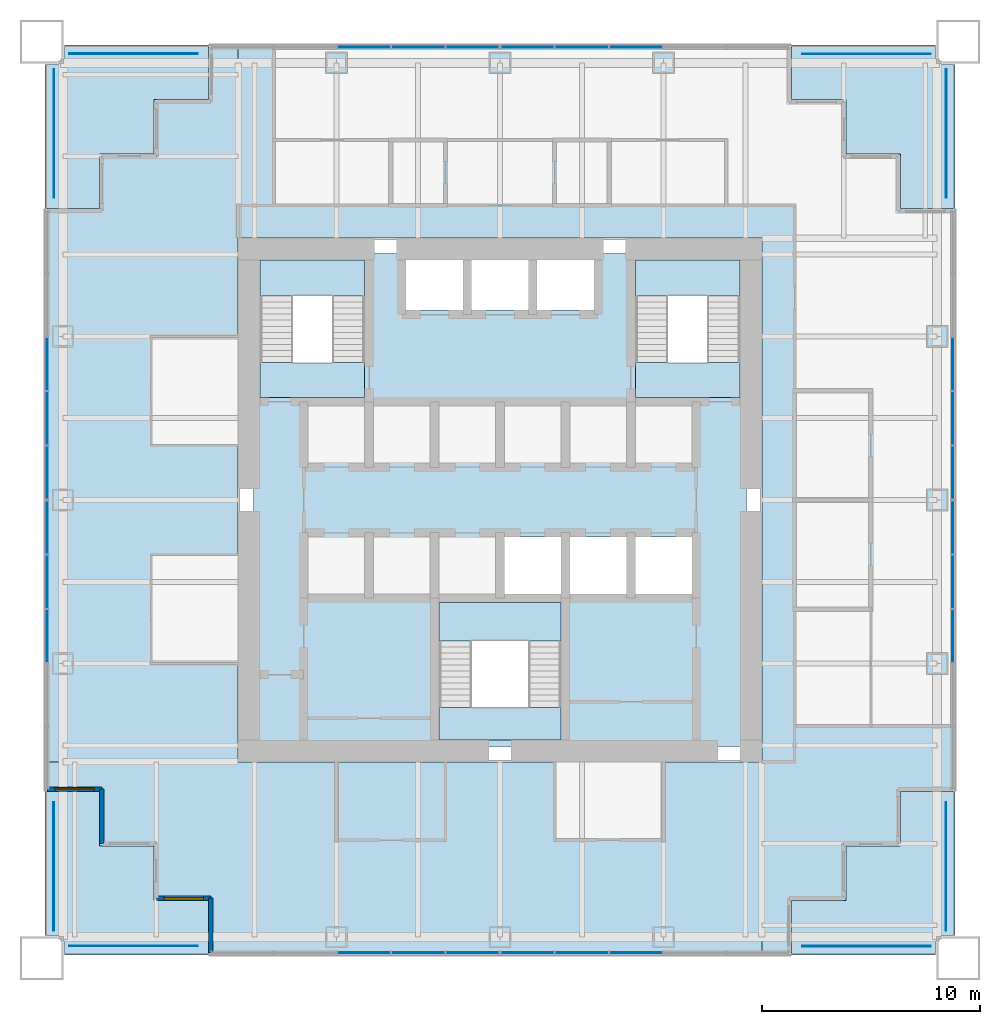
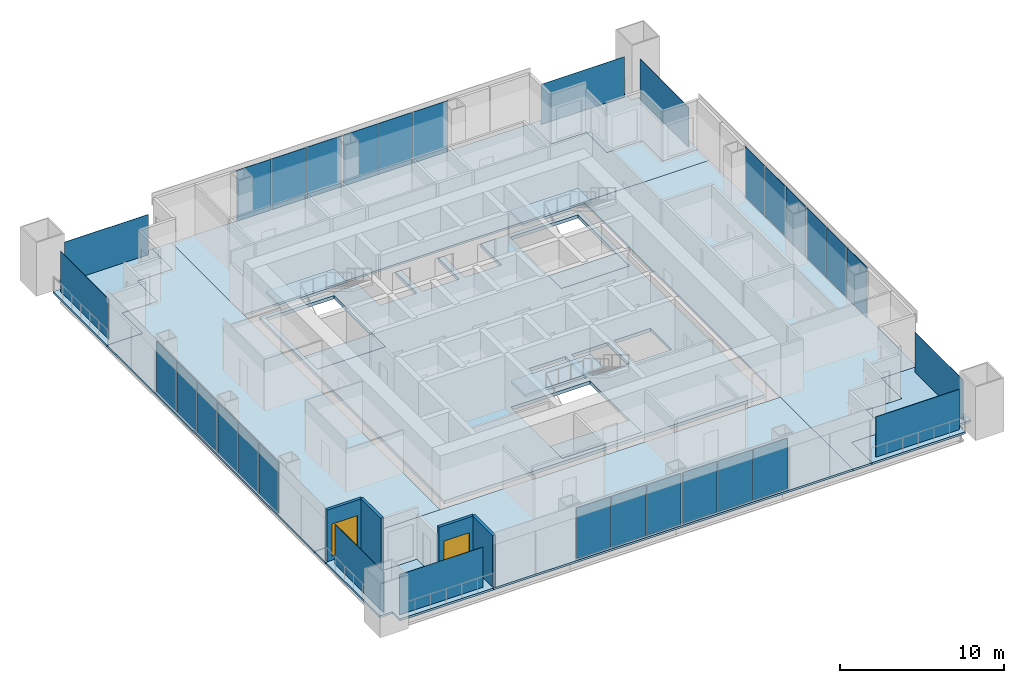
# One storey, part 8 of 14: 32 plates, 15 slabs, 4 walls, 2 windows, 2 openings, 11 elements without a shape of their own.
"""IFC4 building model written with IfcOpenShell, lengths in metres."""

from ifc_helpers import new_model, si_unit, direction, frame, frame_2d, origin, origin_2d, place, context, subcontext, project, spatial, polyline, rectangle, outline, extrude, material, layer, layer_set, type_object, element, fill, aggregate, save


model = new_model("IFC4")

# Units and contexts
model_context = context("Model", 3, precision=1e-05, world=origin(), true_north=direction((0.0, 1.0)))
body_context = subcontext(model_context, "Body", "Model", "MODEL_VIEW")
ifc_project = project(units=[si_unit("LENGTHUNIT", "METRE"), si_unit("AREAUNIT", "SQUARE_METRE"), si_unit("VOLUMEUNIT", "CUBIC_METRE"), si_unit("PLANEANGLEUNIT", "RADIAN"), si_unit("MASSUNIT", "GRAM", prefix="KILO")], contexts=[model_context])

# Site, building, storey
site_placement = place(None, origin())
site = spatial("IfcSite", under=ifc_project, at=site_placement, CompositionType="ELEMENT")
building_placement = place(site_placement, origin())
building = spatial("IfcBuilding", under=site, at=building_placement, Name="Tarangal Relay Tower", CompositionType="ELEMENT")
storey_placement = place(building_placement, frame((0.0, 0.0, 323.89990234375)))
storey = spatial("IfcBuildingStorey", under=building, at=storey_placement, Name="L72", CompositionType="ELEMENT", Elevation=323.89990234375)

# Slabs
ifc_material_1 = material(Name="Concrete fc' 35 MPa", Category="concrete")
ifc_layer_1 = layer(ifc_material_1, 0.25)
ifc_layer_set_1 = layer_set([ifc_layer_1], Name="Core floor slab 250")
slab_type_1 = type_object("IfcSlabType", Name="Core floor slab 250", PredefinedType="FLOOR", material=ifc_layer_set_1)
slab_1_placement = place(storey_placement, frame((0.0, 0.0, -0.25)))
element("IfcSlab", 1, at=slab_1_placement, inside=storey, type_object=slab_type_1, Name="Core floor slab L72", PredefinedType="FLOOR", context=body_context, shape_type="SweptSolid", body=[
    extrude(outline(polyline([(11.300048828125, 11.300048828125), (11.300048828125, -11.300048828125), (-11.300048828125, -11.300048828125), (-11.300048828125, 11.300048828125), (-4.300048828125, 11.300048828125), (-4.300048828125, 8.699951171875), (-1.699951171875, 8.699951171875), (-1.699951171875, 11.300048828125), (-1.300048828125, 11.300048828125), (-1.300048828125, 8.699951171875), (1.300048828125, 8.699951171875), (1.300048828125, 11.300048828125), (1.699951171875, 11.300048828125), (1.699951171875, 8.699951171875), (4.300048828125, 8.699951171875), (4.300048828125, 11.300048828125), (11.300048828125, 11.300048828125)]), holes=[polyline([(2.800048828125, -4.699951171875), (-2.800048828125, -4.699951171875), (-2.800048828125, -11.0), (2.800048828125, -11.0), (2.800048828125, -4.699951171875)]), polyline([(2.800048828125, -1.699951171875), (0.199951171875, -1.699951171875), (0.199951171875, -4.300048828125), (2.800048828125, -4.300048828125), (2.800048828125, -1.699951171875)]), polyline([(5.800048828125, -1.699951171875), (3.199951171875, -1.699951171875), (3.199951171875, -4.300048828125), (5.800048828125, -4.300048828125), (5.800048828125, -1.699951171875)]), polyline([(8.800048828125, -1.699951171875), (6.199951171875, -1.699951171875), (6.199951171875, -4.300048828125), (8.800048828125, -4.300048828125), (8.800048828125, -1.699951171875)]), polyline([(-6.199951171875, 11.0), (-11.0, 11.0), (-11.0, 4.699951171875), (-6.199951171875, 4.699951171875), (-6.199951171875, 11.0)]), polyline([(11.0, 11.0), (6.199951171875, 11.0), (6.199951171875, 4.699951171875), (11.0, 4.699951171875), (11.0, 11.0)])]), origin(), (0.0, 0.0, 1.0), 0.25),
])
ifc_layer_2 = layer(ifc_material_1, 0.14990234375)
ifc_layer_set_2 = layer_set([ifc_layer_2], Name="Floor slab 150")
slab_type_2 = type_object("IfcSlabType", Name="Floor slab 150", PredefinedType="FLOOR", material=ifc_layer_set_2)
slab_2_placement = place(storey_placement, frame((0.0, 0.0, -0.14990234375)))
element("IfcSlab", 2, at=slab_2_placement, inside=storey, type_object=slab_type_2, Name="Floor slab FS3 L72 north bay", PredefinedType="FLOOR", context=body_context, shape_type="SweptSolid", body=[
    extrude(outline(polyline([(13.35009765625, 20.85009765625), (13.35009765625, 18.35009765625), (15.85009765625, 18.35009765625), (15.85009765625, 15.85009765625), (18.35009765625, 15.85009765625), (18.35009765625, 13.35009765625), (20.85009765625, 13.35009765625), (20.85009765625, 12.0), (-12.0, 12.0), (-12.0, 20.85009765625), (13.35009765625, 20.85009765625)])), origin(), (0.0, 0.0, 1.0), 0.14990234375),
])
slab_3_placement = place(storey_placement, frame((0.0, 0.0, -0.14990234375)))
element("IfcSlab", 3, at=slab_3_placement, inside=storey, type_object=slab_type_2, Name="Floor slab FS3 L72 east bay", PredefinedType="FLOOR", context=body_context, shape_type="SweptSolid", body=[
    extrude(outline(polyline([(20.85009765625, -13.35009765625), (18.35009765625, -13.35009765625), (18.35009765625, -15.85009765625), (15.85009765625, -15.85009765625), (15.85009765625, -18.35009765625), (13.35009765625, -18.35009765625), (13.35009765625, -20.85009765625), (12.0, -20.85009765625), (12.0, 12.0), (20.85009765625, 12.0), (20.85009765625, -13.35009765625)])), origin(), (0.0, 0.0, 1.0), 0.14990234375),
])
slab_4_placement = place(storey_placement, frame((0.0, 0.0, -0.14990234375)))
element("IfcSlab", 4, at=slab_4_placement, inside=storey, type_object=slab_type_2, Name="Floor slab FS3 L72 south bay", PredefinedType="FLOOR", context=body_context, shape_type="SweptSolid", body=[
    extrude(outline(polyline([(-13.35009765625, -20.85009765625), (-13.35009765625, -18.35009765625), (-15.85009765625, -18.35009765625), (-15.85009765625, -15.85009765625), (-18.35009765625, -15.85009765625), (-18.35009765625, -13.35009765625), (-20.85009765625, -13.35009765625), (-20.85009765625, -12.0), (12.0, -12.0), (12.0, -20.85009765625), (-13.35009765625, -20.85009765625)])), origin(), (0.0, 0.0, 1.0), 0.14990234375),
])
slab_5_placement = place(storey_placement, frame((0.0, 0.0, -0.14990234375)))
element("IfcSlab", 5, at=slab_5_placement, inside=storey, type_object=slab_type_2, Name="Floor slab FS3 L72 west bay", PredefinedType="FLOOR", context=body_context, shape_type="SweptSolid", body=[
    extrude(outline(polyline([(-12.0, 20.85009765625), (-12.0, -12.0), (-20.85009765625, -12.0), (-20.85009765625, 13.35009765625), (-18.35009765625, 13.35009765625), (-18.35009765625, 15.85009765625), (-15.85009765625, 15.85009765625), (-15.85009765625, 18.35009765625), (-13.35009765625, 18.35009765625), (-13.35009765625, 20.85009765625), (-12.0, 20.85009765625)])), origin(), (0.0, 0.0, 1.0), 0.14990234375),
])

# Curtain wall, plates
ifc_material_2 = material(Name="Unitised curtain wall, dark glass and black aluminium", Category="aluminium")
curtain_wall_type = type_object("IfcCurtainWallType", Name="Curtain wall CW-B", PredefinedType="USERDEFINED", material=ifc_material_2)
curtain_wall_1_placement = place(storey_placement, origin())
curtain_wall_1 = element("IfcCurtainWall", 6, at=curtain_wall_1_placement, inside=storey, type_object=curtain_wall_type, Name="Curtain wall CW-B N facade L72", ObjectType="UNITISED CURTAIN WALL", PredefinedType="USERDEFINED")
ifc_material_3 = material(Name="Dark tinted insulated glass unit", Category="glass")
ifc_layer_3 = layer(ifc_material_3, 0.030029296875)
ifc_layer_set_3 = layer_set([ifc_layer_3], Name="Glazed panel CW-B 30")
plate_type_1 = type_object("IfcPlateType", Name="Glazed panel CW-B 30", PredefinedType="CURTAIN_PANEL", material=ifc_layer_set_3)
plate_1_placement = place(storey_placement, frame((-6.235107421875, 20.75, 0.06005859375), z_axis=(0.0, 0.0, 1.0), x_axis=(1.0, 0.0, 0.0)))
plate_1 = element("IfcPlate", 7, at=plate_1_placement, type_object=plate_type_1, Name="CW-B panel 1.1", PredefinedType="CURTAIN_PANEL", context=body_context, shape_type="SweptSolid", body=[
    extrude(rectangle(XDim=2.409912109375, YDim=0.030029296875, at=origin_2d()), origin(), (0.0, 0.0, 1.0), 3.7900390625),
])
plate_2_placement = place(storey_placement, frame((-3.75, 20.75, 0.06005859375), z_axis=(0.0, 0.0, 1.0), x_axis=(1.0, 0.0, 0.0)))
plate_2 = element("IfcPlate", 8, at=plate_2_placement, type_object=plate_type_1, Name="CW-B panel 2.1", PredefinedType="CURTAIN_PANEL", context=body_context, shape_type="SweptSolid", body=[
    extrude(rectangle(XDim=2.43994140625, YDim=0.030029296875, at=origin_2d()), origin(), (0.0, 0.0, 1.0), 3.7900390625),
])
plate_3_placement = place(storey_placement, frame((-1.264892578125, 20.75, 0.06005859375), z_axis=(0.0, 0.0, 1.0), x_axis=(1.0, 0.0, 0.0)))
plate_3 = element("IfcPlate", 9, at=plate_3_placement, type_object=plate_type_1, Name="CW-B panel 3.1", PredefinedType="CURTAIN_PANEL", context=body_context, shape_type="SweptSolid", body=[
    extrude(rectangle(XDim=2.409912109375, YDim=0.030029296875, at=origin_2d()), origin(), (0.0, 0.0, 1.0), 3.7900390625),
])
aggregate(curtain_wall_1, [plate_1, plate_2, plate_3])

curtain_wall_2_placement = place(storey_placement, origin())
curtain_wall_2 = element("IfcCurtainWall", 10, at=curtain_wall_2_placement, inside=storey, type_object=curtain_wall_type, Name="Curtain wall CW-B N facade L72", ObjectType="UNITISED CURTAIN WALL", PredefinedType="USERDEFINED")
plate_4_placement = place(storey_placement, frame((1.264892578125, 20.75, 0.06005859375), z_axis=(0.0, 0.0, 1.0), x_axis=(1.0, 0.0, 0.0)))
plate_4 = element("IfcPlate", 11, at=plate_4_placement, type_object=plate_type_1, Name="CW-B panel 1.1", PredefinedType="CURTAIN_PANEL", context=body_context, shape_type="SweptSolid", body=[
    extrude(rectangle(XDim=2.409912109375, YDim=0.030029296875, at=origin_2d()), origin(), (0.0, 0.0, 1.0), 3.7900390625),
])
plate_5_placement = place(storey_placement, frame((3.75, 20.75, 0.06005859375), z_axis=(0.0, 0.0, 1.0), x_axis=(1.0, 0.0, 0.0)))
plate_5 = element("IfcPlate", 12, at=plate_5_placement, type_object=plate_type_1, Name="CW-B panel 2.1", PredefinedType="CURTAIN_PANEL", context=body_context, shape_type="SweptSolid", body=[
    extrude(rectangle(XDim=2.43994140625, YDim=0.030029296875, at=origin_2d()), origin(), (0.0, 0.0, 1.0), 3.7900390625),
])
plate_6_placement = place(storey_placement, frame((6.235107421875, 20.75, 0.06005859375), z_axis=(0.0, 0.0, 1.0), x_axis=(1.0, 0.0, 0.0)))
plate_6 = element("IfcPlate", 13, at=plate_6_placement, type_object=plate_type_1, Name="CW-B panel 3.1", PredefinedType="CURTAIN_PANEL", context=body_context, shape_type="SweptSolid", body=[
    extrude(rectangle(XDim=2.409912109375, YDim=0.030029296875, at=origin_2d()), origin(), (0.0, 0.0, 1.0), 3.7900390625),
])
aggregate(curtain_wall_2, [plate_4, plate_5, plate_6])

curtain_wall_3_placement = place(storey_placement, origin())
curtain_wall_3 = element("IfcCurtainWall", 14, at=curtain_wall_3_placement, inside=storey, type_object=curtain_wall_type, Name="Curtain wall CW-B E facade L72", ObjectType="UNITISED CURTAIN WALL", PredefinedType="USERDEFINED")
plate_7_placement = place(storey_placement, frame((20.75, 6.235107421875, 0.06005859375), z_axis=(0.0, 0.0, 1.0), x_axis=(0.0, -1.0, 0.0)))
plate_7 = element("IfcPlate", 15, at=plate_7_placement, type_object=plate_type_1, Name="CW-B panel 1.1", PredefinedType="CURTAIN_PANEL", context=body_context, shape_type="SweptSolid", body=[
    extrude(rectangle(XDim=2.409912109375, YDim=0.030029296875, at=origin_2d()), origin(), (0.0, 0.0, 1.0), 3.7900390625),
])
plate_8_placement = place(storey_placement, frame((20.75, 3.75, 0.06005859375), z_axis=(0.0, 0.0, 1.0), x_axis=(0.0, -1.0, 0.0)))
plate_8 = element("IfcPlate", 16, at=plate_8_placement, type_object=plate_type_1, Name="CW-B panel 2.1", PredefinedType="CURTAIN_PANEL", context=body_context, shape_type="SweptSolid", body=[
    extrude(rectangle(XDim=2.43994140625, YDim=0.030029296875, at=origin_2d()), origin(), (0.0, 0.0, 1.0), 3.7900390625),
])
plate_9_placement = place(storey_placement, frame((20.75, 1.264892578125, 0.06005859375), z_axis=(0.0, 0.0, 1.0), x_axis=(0.0, -1.0, 0.0)))
plate_9 = element("IfcPlate", 17, at=plate_9_placement, type_object=plate_type_1, Name="CW-B panel 3.1", PredefinedType="CURTAIN_PANEL", context=body_context, shape_type="SweptSolid", body=[
    extrude(rectangle(XDim=2.409912109375, YDim=0.030029296875, at=origin_2d()), origin(), (0.0, 0.0, 1.0), 3.7900390625),
])
aggregate(curtain_wall_3, [plate_7, plate_8, plate_9])

curtain_wall_4_placement = place(storey_placement, origin())
curtain_wall_4 = element("IfcCurtainWall", 18, at=curtain_wall_4_placement, inside=storey, type_object=curtain_wall_type, Name="Curtain wall CW-B E facade L72", ObjectType="UNITISED CURTAIN WALL", PredefinedType="USERDEFINED")
plate_10_placement = place(storey_placement, frame((20.75, -1.264892578125, 0.06005859375), z_axis=(0.0, 0.0, 1.0), x_axis=(0.0, -1.0, 0.0)))
plate_10 = element("IfcPlate", 19, at=plate_10_placement, type_object=plate_type_1, Name="CW-B panel 1.1", PredefinedType="CURTAIN_PANEL", context=body_context, shape_type="SweptSolid", body=[
    extrude(rectangle(XDim=2.409912109375, YDim=0.030029296875, at=origin_2d()), origin(), (0.0, 0.0, 1.0), 3.7900390625),
])
plate_11_placement = place(storey_placement, frame((20.75, -3.75, 0.06005859375), z_axis=(0.0, 0.0, 1.0), x_axis=(0.0, -1.0, 0.0)))
plate_11 = element("IfcPlate", 20, at=plate_11_placement, type_object=plate_type_1, Name="CW-B panel 2.1", PredefinedType="CURTAIN_PANEL", context=body_context, shape_type="SweptSolid", body=[
    extrude(rectangle(XDim=2.43994140625, YDim=0.030029296875, at=origin_2d()), origin(), (0.0, 0.0, 1.0), 3.7900390625),
])
plate_12_placement = place(storey_placement, frame((20.75, -6.235107421875, 0.06005859375), z_axis=(0.0, 0.0, 1.0), x_axis=(0.0, -1.0, 0.0)))
plate_12 = element("IfcPlate", 21, at=plate_12_placement, type_object=plate_type_1, Name="CW-B panel 3.1", PredefinedType="CURTAIN_PANEL", context=body_context, shape_type="SweptSolid", body=[
    extrude(rectangle(XDim=2.409912109375, YDim=0.030029296875, at=origin_2d()), origin(), (0.0, 0.0, 1.0), 3.7900390625),
])
aggregate(curtain_wall_4, [plate_10, plate_11, plate_12])

curtain_wall_5_placement = place(storey_placement, origin())
curtain_wall_5 = element("IfcCurtainWall", 22, at=curtain_wall_5_placement, inside=storey, type_object=curtain_wall_type, Name="Curtain wall CW-B S facade L72", ObjectType="UNITISED CURTAIN WALL", PredefinedType="USERDEFINED")
plate_13_placement = place(storey_placement, frame((6.235107421875, -20.75, 0.06005859375), z_axis=(0.0, 0.0, 1.0), x_axis=(-1.0, 0.0, 0.0)))
plate_13 = element("IfcPlate", 23, at=plate_13_placement, type_object=plate_type_1, Name="CW-B panel 1.1", PredefinedType="CURTAIN_PANEL", context=body_context, shape_type="SweptSolid", body=[
    extrude(rectangle(XDim=2.409912109375, YDim=0.030029296875, at=origin_2d()), origin(), (0.0, 0.0, 1.0), 3.7900390625),
])
plate_14_placement = place(storey_placement, frame((3.75, -20.75, 0.06005859375), z_axis=(0.0, 0.0, 1.0), x_axis=(-1.0, 0.0, 0.0)))
plate_14 = element("IfcPlate", 24, at=plate_14_placement, type_object=plate_type_1, Name="CW-B panel 2.1", PredefinedType="CURTAIN_PANEL", context=body_context, shape_type="SweptSolid", body=[
    extrude(rectangle(XDim=2.43994140625, YDim=0.030029296875, at=origin_2d()), origin(), (0.0, 0.0, 1.0), 3.7900390625),
])
plate_15_placement = place(storey_placement, frame((1.264892578125, -20.75, 0.06005859375), z_axis=(0.0, 0.0, 1.0), x_axis=(-1.0, 0.0, 0.0)))
plate_15 = element("IfcPlate", 25, at=plate_15_placement, type_object=plate_type_1, Name="CW-B panel 3.1", PredefinedType="CURTAIN_PANEL", context=body_context, shape_type="SweptSolid", body=[
    extrude(rectangle(XDim=2.409912109375, YDim=0.030029296875, at=origin_2d()), origin(), (0.0, 0.0, 1.0), 3.7900390625),
])
aggregate(curtain_wall_5, [plate_13, plate_14, plate_15])

curtain_wall_6_placement = place(storey_placement, origin())
curtain_wall_6 = element("IfcCurtainWall", 26, at=curtain_wall_6_placement, inside=storey, type_object=curtain_wall_type, Name="Curtain wall CW-B S facade L72", ObjectType="UNITISED CURTAIN WALL", PredefinedType="USERDEFINED")
plate_16_placement = place(storey_placement, frame((-1.264892578125, -20.75, 0.06005859375), z_axis=(0.0, 0.0, 1.0), x_axis=(-1.0, 0.0, 0.0)))
plate_16 = element("IfcPlate", 27, at=plate_16_placement, type_object=plate_type_1, Name="CW-B panel 1.1", PredefinedType="CURTAIN_PANEL", context=body_context, shape_type="SweptSolid", body=[
    extrude(rectangle(XDim=2.409912109375, YDim=0.030029296875, at=origin_2d()), origin(), (0.0, 0.0, 1.0), 3.7900390625),
])
plate_17_placement = place(storey_placement, frame((-3.75, -20.75, 0.06005859375), z_axis=(0.0, 0.0, 1.0), x_axis=(-1.0, 0.0, 0.0)))
plate_17 = element("IfcPlate", 28, at=plate_17_placement, type_object=plate_type_1, Name="CW-B panel 2.1", PredefinedType="CURTAIN_PANEL", context=body_context, shape_type="SweptSolid", body=[
    extrude(rectangle(XDim=2.43994140625, YDim=0.030029296875, at=origin_2d()), origin(), (0.0, 0.0, 1.0), 3.7900390625),
])
plate_18_placement = place(storey_placement, frame((-6.235107421875, -20.75, 0.06005859375), z_axis=(0.0, 0.0, 1.0), x_axis=(-1.0, 0.0, 0.0)))
plate_18 = element("IfcPlate", 29, at=plate_18_placement, type_object=plate_type_1, Name="CW-B panel 3.1", PredefinedType="CURTAIN_PANEL", context=body_context, shape_type="SweptSolid", body=[
    extrude(rectangle(XDim=2.409912109375, YDim=0.030029296875, at=origin_2d()), origin(), (0.0, 0.0, 1.0), 3.7900390625),
])
aggregate(curtain_wall_6, [plate_16, plate_17, plate_18])

curtain_wall_7_placement = place(storey_placement, origin())
curtain_wall_7 = element("IfcCurtainWall", 30, at=curtain_wall_7_placement, inside=storey, type_object=curtain_wall_type, Name="Curtain wall CW-B W facade L72", ObjectType="UNITISED CURTAIN WALL", PredefinedType="USERDEFINED")
plate_19_placement = place(storey_placement, frame((-20.75, -6.235107421875, 0.06005859375), z_axis=(0.0, 0.0, 1.0), x_axis=(0.0, 1.0, 0.0)))
plate_19 = element("IfcPlate", 31, at=plate_19_placement, type_object=plate_type_1, Name="CW-B panel 1.1", PredefinedType="CURTAIN_PANEL", context=body_context, shape_type="SweptSolid", body=[
    extrude(rectangle(XDim=2.409912109375, YDim=0.030029296875, at=origin_2d()), origin(), (0.0, 0.0, 1.0), 3.7900390625),
])
plate_20_placement = place(storey_placement, frame((-20.75, -3.75, 0.06005859375), z_axis=(0.0, 0.0, 1.0), x_axis=(0.0, 1.0, 0.0)))
plate_20 = element("IfcPlate", 32, at=plate_20_placement, type_object=plate_type_1, Name="CW-B panel 2.1", PredefinedType="CURTAIN_PANEL", context=body_context, shape_type="SweptSolid", body=[
    extrude(rectangle(XDim=2.43994140625, YDim=0.030029296875, at=origin_2d()), origin(), (0.0, 0.0, 1.0), 3.7900390625),
])
plate_21_placement = place(storey_placement, frame((-20.75, -1.264892578125, 0.06005859375), z_axis=(0.0, 0.0, 1.0), x_axis=(0.0, 1.0, 0.0)))
plate_21 = element("IfcPlate", 33, at=plate_21_placement, type_object=plate_type_1, Name="CW-B panel 3.1", PredefinedType="CURTAIN_PANEL", context=body_context, shape_type="SweptSolid", body=[
    extrude(rectangle(XDim=2.409912109375, YDim=0.030029296875, at=origin_2d()), origin(), (0.0, 0.0, 1.0), 3.7900390625),
])
aggregate(curtain_wall_7, [plate_19, plate_20, plate_21])

curtain_wall_8_placement = place(storey_placement, origin())
curtain_wall_8 = element("IfcCurtainWall", 34, at=curtain_wall_8_placement, inside=storey, type_object=curtain_wall_type, Name="Curtain wall CW-B W facade L72", ObjectType="UNITISED CURTAIN WALL", PredefinedType="USERDEFINED")
plate_22_placement = place(storey_placement, frame((-20.75, 1.264892578125, 0.06005859375), z_axis=(0.0, 0.0, 1.0), x_axis=(0.0, 1.0, 0.0)))
plate_22 = element("IfcPlate", 35, at=plate_22_placement, type_object=plate_type_1, Name="CW-B panel 1.1", PredefinedType="CURTAIN_PANEL", context=body_context, shape_type="SweptSolid", body=[
    extrude(rectangle(XDim=2.409912109375, YDim=0.030029296875, at=origin_2d()), origin(), (0.0, 0.0, 1.0), 3.7900390625),
])
plate_23_placement = place(storey_placement, frame((-20.75, 3.75, 0.06005859375), z_axis=(0.0, 0.0, 1.0), x_axis=(0.0, 1.0, 0.0)))
plate_23 = element("IfcPlate", 36, at=plate_23_placement, type_object=plate_type_1, Name="CW-B panel 2.1", PredefinedType="CURTAIN_PANEL", context=body_context, shape_type="SweptSolid", body=[
    extrude(rectangle(XDim=2.43994140625, YDim=0.030029296875, at=origin_2d()), origin(), (0.0, 0.0, 1.0), 3.7900390625),
])
plate_24_placement = place(storey_placement, frame((-20.75, 6.235107421875, 0.06005859375), z_axis=(0.0, 0.0, 1.0), x_axis=(0.0, 1.0, 0.0)))
plate_24 = element("IfcPlate", 37, at=plate_24_placement, type_object=plate_type_1, Name="CW-B panel 3.1", PredefinedType="CURTAIN_PANEL", context=body_context, shape_type="SweptSolid", body=[
    extrude(rectangle(XDim=2.409912109375, YDim=0.030029296875, at=origin_2d()), origin(), (0.0, 0.0, 1.0), 3.7900390625),
])
aggregate(curtain_wall_8, [plate_22, plate_23, plate_24])

# Plates
ifc_material_4 = material(Name="Black stainless steel cable trellis with climbing planting", Category="steel")
ifc_layer_4 = layer(ifc_material_4, 0.030029296875)
ifc_layer_set_4 = layer_set([ifc_layer_4], Name="Planted trellis screen")
plate_type_2 = type_object("IfcPlateType", Name="Planted trellis screen", PredefinedType="SHEET", material=ifc_layer_set_4)
for number, where, z_axis, x_axis, name in (
    (38, (20.449951171875, 16.800048828125, 0.0), (0.0, 0.0, 1.0), (0.0, -1.0, 0.0), "Planted trellis SC2 NE L72"),
    (39, (16.800048828125, -20.449951171875, 0.0), (0.0, 0.0, 1.0), (-1.0, 0.0, 0.0), "Planted trellis SC2 SE L72"),
    (40, (-20.449951171875, -16.800048828125, 0.0), (0.0, 0.0, 1.0), (0.0, 1.0, 0.0), "Planted trellis SC2 SW L72"),
    (41, (-16.800048828125, 20.449951171875, 0.0), (0.0, 0.0, 1.0), (1.0, 0.0, 0.0), "Planted trellis SC2 NW L72"),
):
    element("IfcPlate", number, at=place(storey_placement, frame(where, z_axis=z_axis, x_axis=x_axis)), inside=storey, type_object=plate_type_2, Name=name, PredefinedType="SHEET", context=body_context, shape_type="SweptSolid", body=[
        extrude(rectangle(XDim=5.89990234375, YDim=0.030029296875, at=origin_2d()), origin(), (0.0, 0.0, 1.0), 3.0),
    ])

# Stair, slabs
ifc_material_5 = material(Name="Steel ASTM A992 stair flight", Category="steel")
stair_type = type_object("IfcStairType", Name="Core stair 1500", PredefinedType="HALF_TURN_STAIR", material=ifc_material_5)
stair_1_placement = place(storey_placement, origin())
stair_1 = element("IfcStair", 42, at=stair_1_placement, inside=storey, type_object=stair_type, Name="Stair ST-A L72", PredefinedType="HALF_TURN_STAIR")
ifc_layer_5 = layer(ifc_material_1, 0.199951171875)
ifc_layer_set_5 = layer_set([ifc_layer_5], Name="Stair landing 200")
slab_type_3 = type_object("IfcSlabType", Name="Stair landing 200", PredefinedType="LANDING", material=ifc_layer_set_5)
slab_6_placement = place(storey_placement, frame((0.0, 0.0, -0.199951171875)))
slab_6 = element("IfcSlab", 43, at=slab_6_placement, type_object=slab_type_3, Name="ST-A landing 1", PredefinedType="LANDING", context=body_context, shape_type="SweptSolid", body=[
    extrude(outline(polyline([(-11.0, 4.699951171875), (-6.199951171875, 4.699951171875), (-6.199951171875, 6.300048828125), (-11.0, 6.300048828125), (-11.0, 4.699951171875)])), origin(), (0.0, 0.0, 1.0), 0.199951171875),
])
slab_7_placement = place(storey_placement, frame((0.0, 0.0, 1.800048828125)))
slab_7 = element("IfcSlab", 44, at=slab_7_placement, type_object=slab_type_3, Name="ST-A landing 2", PredefinedType="LANDING", context=body_context, shape_type="SweptSolid", body=[
    extrude(outline(polyline([(-11.0, 9.346923828125), (-6.199951171875, 9.346923828125), (-6.199951171875, 11.0), (-11.0, 11.0), (-11.0, 9.346923828125)])), origin(), (0.0, 0.0, 1.0), 0.199951171875),
])
aggregate(stair_1, [slab_6, slab_7])

stair_2_placement = place(storey_placement, origin())
stair_2 = element("IfcStair", 45, at=stair_2_placement, inside=storey, type_object=stair_type, Name="Stair ST-B L72", PredefinedType="HALF_TURN_STAIR")
slab_8_placement = place(storey_placement, frame((0.0, 0.0, -0.199951171875)))
slab_8 = element("IfcSlab", 46, at=slab_8_placement, type_object=slab_type_3, Name="ST-B landing 1", PredefinedType="LANDING", context=body_context, shape_type="SweptSolid", body=[
    extrude(outline(polyline([(6.199951171875, 4.699951171875), (11.0, 4.699951171875), (11.0, 6.300048828125), (6.199951171875, 6.300048828125), (6.199951171875, 4.699951171875)])), origin(), (0.0, 0.0, 1.0), 0.199951171875),
])
slab_9_placement = place(storey_placement, frame((0.0, 0.0, 1.800048828125)))
slab_9 = element("IfcSlab", 47, at=slab_9_placement, type_object=slab_type_3, Name="ST-B landing 2", PredefinedType="LANDING", context=body_context, shape_type="SweptSolid", body=[
    extrude(outline(polyline([(6.199951171875, 9.346923828125), (11.0, 9.346923828125), (11.0, 11.0), (6.199951171875, 11.0), (6.199951171875, 9.346923828125)])), origin(), (0.0, 0.0, 1.0), 0.199951171875),
])
aggregate(stair_2, [slab_8, slab_9])

stair_3_placement = place(storey_placement, origin())
stair_3 = element("IfcStair", 48, at=stair_3_placement, inside=storey, type_object=stair_type, Name="Stair ST-C L72", PredefinedType="HALF_TURN_STAIR")
slab_10_placement = place(storey_placement, frame((0.0, 0.0, -0.199951171875)))
slab_10 = element("IfcSlab", 49, at=slab_10_placement, type_object=slab_type_3, Name="ST-C landing 1", PredefinedType="LANDING", context=body_context, shape_type="SweptSolid", body=[
    extrude(outline(polyline([(-2.800048828125, -11.0), (2.800048828125, -11.0), (2.800048828125, -9.5), (-2.800048828125, -9.5), (-2.800048828125, -11.0)])), origin(), (0.0, 0.0, 1.0), 0.199951171875),
])
slab_11_placement = place(storey_placement, frame((0.0, 0.0, 1.800048828125)))
slab_11 = element("IfcSlab", 50, at=slab_11_placement, type_object=slab_type_3, Name="ST-C landing 2", PredefinedType="LANDING", context=body_context, shape_type="SweptSolid", body=[
    extrude(outline(polyline([(-2.800048828125, -6.452880859375), (2.800048828125, -6.452880859375), (2.800048828125, -4.699951171875), (-2.800048828125, -4.699951171875), (-2.800048828125, -6.452880859375)])), origin(), (0.0, 0.0, 1.0), 0.199951171875),
])
aggregate(stair_3, [slab_10, slab_11])

# Plates
ifc_material_6 = material(Name="Perforated black aluminium screen", Category="aluminium")
ifc_layer_6 = layer(ifc_material_6, 0.02001953125)
ifc_layer_set_6 = layer_set([ifc_layer_6], Name="Terrace screen panel")
plate_type_3 = type_object("IfcPlateType", Name="Terrace screen panel", PredefinedType="SHEET", material=ifc_layer_set_6)
for number, where, z_axis, x_axis, name in (
    (51, (16.800048828125, 20.449951171875, 0.0), (0.0, 0.0, 1.0), (1.0, 0.0, 0.0), "Terrace screen SC1 NE L72"),
    (52, (20.449951171875, -16.800048828125, 0.0), (0.0, 0.0, 1.0), (0.0, -1.0, 0.0), "Terrace screen SC1 SE L72"),
    (53, (-16.800048828125, -20.449951171875, 0.0), (0.0, 0.0, 1.0), (-1.0, 0.0, 0.0), "Terrace screen SC1 SW L72"),
    (54, (-20.449951171875, 16.800048828125, 0.0), (0.0, 0.0, 1.0), (0.0, 1.0, 0.0), "Terrace screen SC1 NW L72"),
):
    element("IfcPlate", number, at=place(storey_placement, frame(where, z_axis=z_axis, x_axis=x_axis)), inside=storey, type_object=plate_type_3, Name=name, PredefinedType="SHEET", context=body_context, shape_type="SweptSolid", body=[
        extrude(rectangle(XDim=5.89990234375, YDim=0.02001953125, at=origin_2d()), origin(), (0.0, 0.0, 1.0), 3.0),
    ])

# Slabs
ifc_layer_7 = layer(ifc_material_1, 0.14990234375)
ifc_layer_set_7 = layer_set([ifc_layer_7], Name="Terrace slab 150")
slab_type_4 = type_object("IfcSlabType", Name="Terrace slab 150", PredefinedType="FLOOR", material=ifc_layer_set_7)
slab_12_placement = place(storey_placement, frame((0.0, 0.0, -0.14990234375)))
element("IfcSlab", 55, at=slab_12_placement, inside=storey, type_object=slab_type_4, Name="Corner terrace NE L72", PredefinedType="FLOOR", context=body_context, shape_type="SweptSolid", body=[
    extrude(outline(polyline([(13.35009765625, 20.85009765625), (13.35009765625, 18.35009765625), (15.85009765625, 18.35009765625), (15.85009765625, 15.85009765625), (18.35009765625, 15.85009765625), (18.35009765625, 13.35009765625), (20.85009765625, 13.35009765625), (20.85009765625, 19.949951171875), (19.949951171875, 19.949951171875), (19.949951171875, 20.85009765625), (13.35009765625, 20.85009765625)])), origin(), (0.0, 0.0, 1.0), 0.14990234375),
])
slab_13_placement = place(storey_placement, frame((0.0, 0.0, -0.14990234375)))
element("IfcSlab", 56, at=slab_13_placement, inside=storey, type_object=slab_type_4, Name="Corner terrace SE L72", PredefinedType="FLOOR", context=body_context, shape_type="SweptSolid", body=[
    extrude(outline(polyline([(20.85009765625, -13.35009765625), (18.35009765625, -13.35009765625), (18.35009765625, -15.85009765625), (15.85009765625, -15.85009765625), (15.85009765625, -18.35009765625), (13.35009765625, -18.35009765625), (13.35009765625, -20.85009765625), (19.949951171875, -20.85009765625), (19.949951171875, -19.949951171875), (20.85009765625, -19.949951171875), (20.85009765625, -13.35009765625)])), origin(), (0.0, 0.0, 1.0), 0.14990234375),
])
slab_14_placement = place(storey_placement, frame((0.0, 0.0, -0.14990234375)))
element("IfcSlab", 57, at=slab_14_placement, inside=storey, type_object=slab_type_4, Name="Corner terrace SW L72", PredefinedType="FLOOR", context=body_context, shape_type="SweptSolid", body=[
    extrude(outline(polyline([(-13.35009765625, -20.85009765625), (-13.35009765625, -18.35009765625), (-15.85009765625, -18.35009765625), (-15.85009765625, -15.85009765625), (-18.35009765625, -15.85009765625), (-18.35009765625, -13.35009765625), (-20.85009765625, -13.35009765625), (-20.85009765625, -19.949951171875), (-19.949951171875, -19.949951171875), (-19.949951171875, -20.85009765625), (-13.35009765625, -20.85009765625)])), origin(), (0.0, 0.0, 1.0), 0.14990234375),
])
slab_15_placement = place(storey_placement, frame((0.0, 0.0, -0.14990234375)))
element("IfcSlab", 58, at=slab_15_placement, inside=storey, type_object=slab_type_4, Name="Corner terrace NW L72", PredefinedType="FLOOR", context=body_context, shape_type="SweptSolid", body=[
    extrude(outline(polyline([(-20.85009765625, 13.35009765625), (-18.35009765625, 13.35009765625), (-18.35009765625, 15.85009765625), (-15.85009765625, 15.85009765625), (-15.85009765625, 18.35009765625), (-13.35009765625, 18.35009765625), (-13.35009765625, 20.85009765625), (-19.949951171875, 20.85009765625), (-19.949951171875, 19.949951171875), (-20.85009765625, 19.949951171875), (-20.85009765625, 13.35009765625)])), origin(), (0.0, 0.0, 1.0), 0.14990234375),
])

# Wall
ifc_material_7 = material(Name="Black metal clad insulated wall", Category="steel")
ifc_layer_8 = layer(ifc_material_7, 0.199951171875)
ifc_layer_set_8 = layer_set([ifc_layer_8], Name="Corner wall metal clad 200")
wall_type = type_object("IfcWallType", Name="Corner wall metal clad 200", PredefinedType="SOLIDWALL", material=ifc_layer_set_8)
wall_1_placement = place(storey_placement, frame((-13.25, -20.75, 0.0), z_axis=(0.0, 0.0, 1.0), x_axis=(0.0, 1.0, 0.0)))
element("IfcWall", 59, at=wall_1_placement, inside=storey, type_object=wall_type, Name="Facade wall S facade L72", PredefinedType="SOLIDWALL", context=body_context, shape_type="SweptSolid", body=[
    extrude(rectangle(XDim=2.5, YDim=0.199951171875, at=frame_2d((1.25, 0.0))), origin(), (0.0, 0.0, 1.0), 3.85009765625),
])

# Wall, opening, window
wall_2_placement = place(storey_placement, frame((-13.25, -18.25, 0.0), z_axis=(0.0, 0.0, 1.0), x_axis=(-1.0, 0.0, 0.0)))
wall_2 = element("IfcWall", 60, at=wall_2_placement, inside=storey, type_object=wall_type, Name="Facade wall S facade L72", PredefinedType="SOLIDWALL", context=body_context, shape_type="SweptSolid", body=[
    extrude(rectangle(XDim=2.5, YDim=0.199951171875, at=frame_2d((1.25, 0.0))), origin(), (0.0, 0.0, 1.0), 3.85009765625),
])
opening_1_placement = place(wall_2_placement, frame((0.35009765625, 0.0, 0.300048828125)))
opening_1 = element("IfcOpeningElement", 61, at=opening_1_placement, cuts=wall_2, Name="Opening WN2", PredefinedType="OPENING", context=body_context, shape_type="SweptSolid", body=[
    extrude(rectangle(XDim=1.800048828125, YDim=2.39990234375, at=frame_2d((0.89990234375, 1.199951171875))), frame((0.0, 0.10986328125, 0.0), z_axis=(0.0, -1.0, 0.0), x_axis=(1.0, 0.0, 0.0)), (0.0, 0.0, 1.0), 0.219970703125),
])
ifc_material_8 = material(Name="Dark tinted double glazing in black aluminium frame", Category="aluminium")
window_type = type_object("IfcWindowType", Name="Corner window 1800 x 2400", PartitioningType="SINGLE_PANEL", PredefinedType="WINDOW", material=ifc_material_8)
window_1_placement = place(opening_1_placement, origin())
window_1 = element("IfcWindow", 62, at=window_1_placement, inside=storey, type_object=window_type, Name="Corner window WN2 S facade L72", OverallHeight=2.39990234375, OverallWidth=1.800048828125, PartitioningType="SINGLE_PANEL", PredefinedType="WINDOW", context=body_context, shape_type="SweptSolid", body=[
    extrude(rectangle(XDim=1.800048828125, YDim=2.39990234375, at=frame_2d((0.89990234375, 1.199951171875))), frame((0.0, 0.030029296875, 0.0), z_axis=(0.0, -1.0, 0.0), x_axis=(1.0, 0.0, 0.0)), (0.0, 0.0, 1.0), 0.06005859375),
])
fill(opening_1, window_1)

# Wall
wall_3_placement = place(storey_placement, frame((-18.25, -15.75, 0.0), z_axis=(0.0, 0.0, 1.0), x_axis=(0.0, 1.0, 0.0)))
element("IfcWall", 63, at=wall_3_placement, inside=storey, type_object=wall_type, Name="Facade wall S facade L72", PredefinedType="SOLIDWALL", context=body_context, shape_type="SweptSolid", body=[
    extrude(rectangle(XDim=2.5, YDim=0.199951171875, at=frame_2d((1.25, 0.0))), origin(), (0.0, 0.0, 1.0), 3.85009765625),
])

# Wall, opening, window
wall_4_placement = place(storey_placement, frame((-18.25, -13.25, 0.0), z_axis=(0.0, 0.0, 1.0), x_axis=(-1.0, 0.0, 0.0)))
wall_4 = element("IfcWall", 64, at=wall_4_placement, inside=storey, type_object=wall_type, Name="Facade wall S facade L72", PredefinedType="SOLIDWALL", context=body_context, shape_type="SweptSolid", body=[
    extrude(rectangle(XDim=2.5, YDim=0.199951171875, at=frame_2d((1.25, 0.0))), origin(), (0.0, 0.0, 1.0), 3.85009765625),
])
opening_2_placement = place(wall_4_placement, frame((0.35009765625, 0.0, 0.300048828125)))
opening_2 = element("IfcOpeningElement", 65, at=opening_2_placement, cuts=wall_4, Name="Opening WN2", PredefinedType="OPENING", context=body_context, shape_type="SweptSolid", body=[
    extrude(rectangle(XDim=1.800048828125, YDim=2.39990234375, at=frame_2d((0.89990234375, 1.199951171875))), frame((0.0, 0.10986328125, 0.0), z_axis=(0.0, -1.0, 0.0), x_axis=(1.0, 0.0, 0.0)), (0.0, 0.0, 1.0), 0.219970703125),
])
window_2_placement = place(opening_2_placement, origin())
window_2 = element("IfcWindow", 66, at=window_2_placement, inside=storey, type_object=window_type, Name="Corner window WN2 S facade L72", OverallHeight=2.39990234375, OverallWidth=1.800048828125, PartitioningType="SINGLE_PANEL", PredefinedType="WINDOW", context=body_context, shape_type="SweptSolid", body=[
    extrude(rectangle(XDim=1.800048828125, YDim=2.39990234375, at=frame_2d((0.89990234375, 1.199951171875))), frame((0.0, 0.030029296875, 0.0), z_axis=(0.0, -1.0, 0.0), x_axis=(1.0, 0.0, 0.0)), (0.0, 0.0, 1.0), 0.06005859375),
])
fill(opening_2, window_2)

save(model, "model.ifc")
